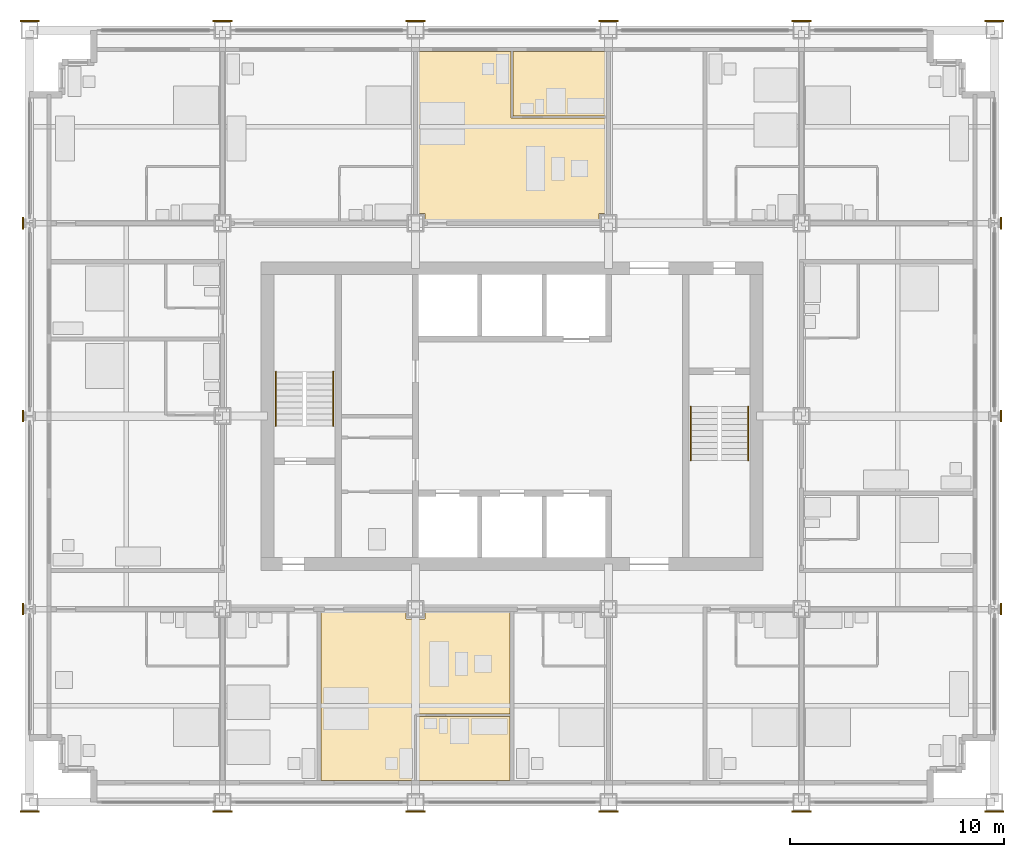
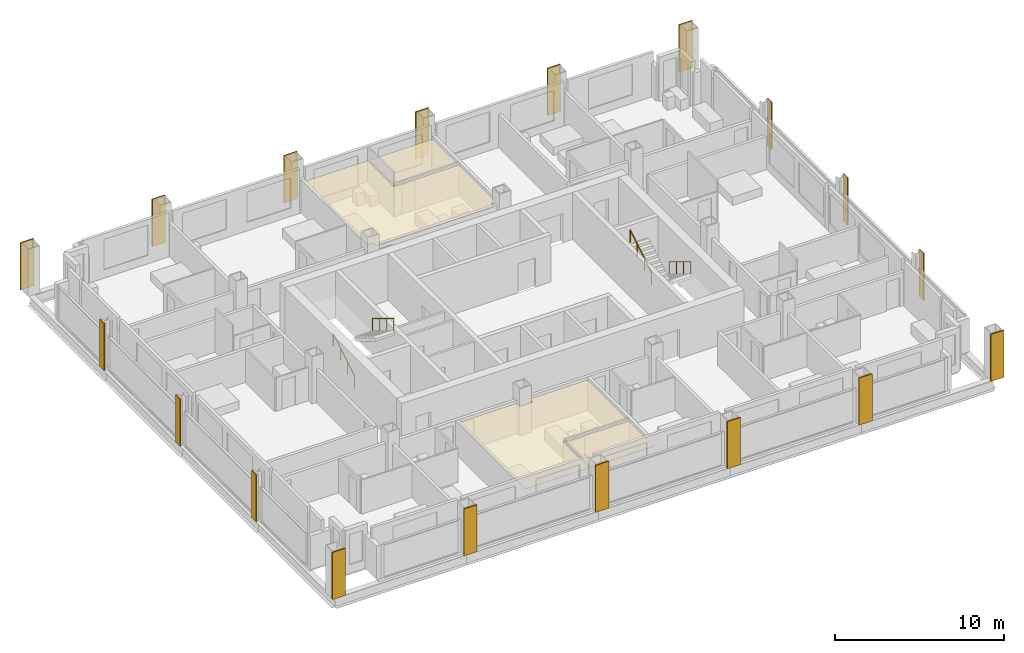
# One storey, part 14 of 16: 22 coverings, 4 railings.
"""IFC4 building model written with IfcOpenShell, lengths in metres."""

from ifc_helpers import new_model, si_unit, direction, frame, origin, origin_2d, place, context, subcontext, project, spatial, polyline, rectangle, circle, outline, extrude, material, layer, layer_set, type_object, element, save


model = new_model("IFC4")

# Units and contexts
model_context = context("Model", 3, precision=1e-05, world=origin(), true_north=direction((0.0, 1.0)))
body_context = subcontext(model_context, "Body", "Model", "MODEL_VIEW")
ifc_project = project(units=[si_unit("LENGTHUNIT", "METRE"), si_unit("AREAUNIT", "SQUARE_METRE"), si_unit("VOLUMEUNIT", "CUBIC_METRE"), si_unit("PLANEANGLEUNIT", "RADIAN"), si_unit("MASSUNIT", "GRAM", prefix="KILO")], contexts=[model_context])

# Site, building, storey
site_placement = place(None, origin())
site = spatial("IfcSite", under=ifc_project, at=site_placement, CompositionType="ELEMENT")
building_placement = place(site_placement, origin())
building = spatial("IfcBuilding", under=site, at=building_placement, Name="Loomwork Tower", CompositionType="ELEMENT")
storey_placement = place(building_placement, frame((0.0, 0.0, 124.800048828125)))
storey = spatial("IfcBuildingStorey", under=building, at=storey_placement, Name="L33", CompositionType="ELEMENT", Elevation=124.800048828125)

# Railings
ifc_material_1 = material(Name="Stainless steel handrail", Category="steel")
railing_type = type_object("IfcRailingType", Name="Handrail 900", PredefinedType="HANDRAIL", material=ifc_material_1)
railing_1_placement = place(storey_placement, frame((11.485107421875, 17.550048828125, 0.169921875)))
element("IfcRailing", 1, at=railing_1_placement, inside=storey, type_object=railing_type, Name="Stair A handrail flight 1 L33", PredefinedType="HANDRAIL", context=body_context, shape_type="SweptSolid", body=[
    extrude(circle(Radius=0.02392578125, at=origin_2d()), frame((0.0, 0.0, 0.8759765625), z_axis=(0.0, 0.85478489116, 0.518982456201), x_axis=(-1.0, 0.0, 0.0)), (0.0, 0.0, 1.0), 2.9482421875),
    extrude(circle(Radius=0.02099609375, at=origin_2d()), origin(), (0.0, 0.0, 1.0), 0.851806640625),
    extrude(circle(Radius=0.02099609375, at=origin_2d()), frame((0.0, 0.840087890625, 0.510009765625)), (0.0, 0.0, 1.0), 0.851806640625),
    extrude(circle(Radius=0.02099609375, at=origin_2d()), frame((0.0, 1.679931640625, 1.02001953125)), (0.0, 0.0, 1.0), 0.851806640625),
    extrude(circle(Radius=0.02099609375, at=origin_2d()), frame((0.0, 2.52001953125, 1.530029296875)), (0.0, 0.0, 1.0), 0.851806640625),
])
for number, where, name in (
    (2, (14.1650390625, 20.070068359375, 1.869873046875), "Stair A handrail flight 2 L33"),
    (3, (33.514892578125, 18.449951171875, 0.169921875), "Stair B handrail flight 1 L33"),
):
    element("IfcRailing", number, at=place(storey_placement, frame(where)), inside=storey, type_object=railing_type, Name=name, PredefinedType="HANDRAIL", context=body_context, shape_type="SweptSolid", body=[
        extrude(circle(Radius=0.02392578125, at=origin_2d()), frame((0.0, 0.0, 0.8759765625), z_axis=(0.0, -0.85478489116, 0.518982456201), x_axis=(1.0, 0.0, 0.0)), (0.0, 0.0, 1.0), 2.9482421875),
        extrude(circle(Radius=0.02099609375, at=origin_2d()), origin(), (0.0, 0.0, 1.0), 0.851806640625),
        extrude(circle(Radius=0.02099609375, at=origin_2d()), frame((0.0, -0.840087890625, 0.510009765625)), (0.0, 0.0, 1.0), 0.851806640625),
        extrude(circle(Radius=0.02099609375, at=origin_2d()), frame((0.0, -1.679931640625, 1.02001953125)), (0.0, 0.0, 1.0), 0.851806640625),
        extrude(circle(Radius=0.02099609375, at=origin_2d()), frame((0.0, -2.52001953125, 1.530029296875)), (0.0, 0.0, 1.0), 0.851806640625),
    ])
railing_2_placement = place(storey_placement, frame((30.8349609375, 15.929931640625, 1.869873046875)))
element("IfcRailing", 4, at=railing_2_placement, inside=storey, type_object=railing_type, Name="Stair B handrail flight 2 L33", PredefinedType="HANDRAIL", context=body_context, shape_type="SweptSolid", body=[
    extrude(circle(Radius=0.02392578125, at=origin_2d()), frame((0.0, 0.0, 0.8759765625), z_axis=(0.0, 0.85478489116, 0.518982456201), x_axis=(-1.0, 0.0, 0.0)), (0.0, 0.0, 1.0), 2.9482421875),
    extrude(circle(Radius=0.02099609375, at=origin_2d()), origin(), (0.0, 0.0, 1.0), 0.851806640625),
    extrude(circle(Radius=0.02099609375, at=origin_2d()), frame((0.0, 0.840087890625, 0.510009765625)), (0.0, 0.0, 1.0), 0.851806640625),
    extrude(circle(Radius=0.02099609375, at=origin_2d()), frame((0.0, 1.679931640625, 1.02001953125)), (0.0, 0.0, 1.0), 0.851806640625),
    extrude(circle(Radius=0.02099609375, at=origin_2d()), frame((0.0, 2.52001953125, 1.530029296875)), (0.0, 0.0, 1.0), 0.851806640625),
])

# Coverings
ifc_material_2 = material(Name="Limestone", Category="masonry")
ifc_layer_1 = layer(ifc_material_2, 0.080078125)
ifc_layer_set_1 = layer_set([ifc_layer_1], Name="Limestone pier facing 80")
covering_type_1 = type_object("IfcCoveringType", Name="Limestone pier facing 80", PredefinedType="CLADDING", material=ifc_layer_set_1)
covering_1_placement = place(storey_placement, frame((0.0, -0.43994140625, 0.0), z_axis=(0.0, 0.0, 1.0), x_axis=(1.0, 0.0, 0.0)))
element("IfcCovering", 5, at=covering_1_placement, inside=storey, type_object=covering_type_1, Name="Pier facing D/2 L33", PredefinedType="CLADDING", context=body_context, shape_type="SweptSolid", body=[
    extrude(rectangle(XDim=0.89990234375, YDim=0.080078125, at=origin_2d()), origin(), (0.0, 0.0, 1.0), 3.39990234375),
])
for number, where, z_axis, x_axis, name in (
    (6, (-0.305419921875, 9.0, 0.0), (0.0, 0.0, 1.0), (1.0, 0.0, 0.0), "Pier facing E/2 L33"),
    (7, (-0.305419921875, 18.0, 0.0), (0.0, 0.0, 1.0), (1.0, 0.0, 0.0), "Pier facing F/2 L33"),
    (8, (-0.305419921875, 27.0, 0.0), (0.0, 0.0, 1.0), (1.0, 0.0, 0.0), "Pier facing G/2 L33"),
):
    element("IfcCovering", number, at=place(storey_placement, frame(where, z_axis=z_axis, x_axis=x_axis)), inside=storey, type_object=covering_type_1, Name=name, PredefinedType="CLADDING", context=body_context, shape_type="SweptSolid", body=[
        extrude(rectangle(XDim=0.080078125, YDim=0.5419921875, at=origin_2d()), origin(), (0.0, 0.0, 1.0), 3.39990234375),
    ])
for number, where, z_axis, x_axis, name in (
    (9, (0.0, 36.43994140625, 0.0), (0.0, 0.0, 1.0), (1.0, 0.0, 0.0), "Pier facing H/2 L33"),
    (10, (9.0, -0.43994140625, 0.0), (0.0, 0.0, 1.0), (1.0, 0.0, 0.0), "Pier facing D/3 L33"),
    (11, (9.0, 36.43994140625, 0.0), (0.0, 0.0, 1.0), (1.0, 0.0, 0.0), "Pier facing H/3 L33"),
    (12, (18.0, -0.43994140625, 0.0), (0.0, 0.0, 1.0), (1.0, 0.0, 0.0), "Pier facing D/4 L33"),
    (13, (18.0, 36.43994140625, 0.0), (0.0, 0.0, 1.0), (1.0, 0.0, 0.0), "Pier facing H/4 L33"),
    (14, (27.0, -0.43994140625, 0.0), (0.0, 0.0, 1.0), (1.0, 0.0, 0.0), "Pier facing D/5 L33"),
    (15, (27.0, 36.43994140625, 0.0), (0.0, 0.0, 1.0), (1.0, 0.0, 0.0), "Pier facing H/5 L33"),
    (16, (36.0, -0.43994140625, 0.0), (0.0, 0.0, 1.0), (1.0, 0.0, 0.0), "Pier facing D/6 L33"),
    (17, (36.0, 36.43994140625, 0.0), (0.0, 0.0, 1.0), (1.0, 0.0, 0.0), "Pier facing H/6 L33"),
    (18, (45.0, -0.43994140625, 0.0), (0.0, 0.0, 1.0), (1.0, 0.0, 0.0), "Pier facing D/7 L33"),
):
    element("IfcCovering", number, at=place(storey_placement, frame(where, z_axis=z_axis, x_axis=x_axis)), inside=storey, type_object=covering_type_1, Name=name, PredefinedType="CLADDING", context=body_context, shape_type="SweptSolid", body=[
        extrude(rectangle(XDim=0.89990234375, YDim=0.080078125, at=origin_2d()), origin(), (0.0, 0.0, 1.0), 3.39990234375),
    ])
for number, where, z_axis, x_axis, name in (
    (19, (45.305419921875, 9.0, 0.0), (0.0, 0.0, 1.0), (1.0, 0.0, 0.0), "Pier facing E/7 L33"),
    (20, (45.305419921875, 18.0, 0.0), (0.0, 0.0, 1.0), (1.0, 0.0, 0.0), "Pier facing F/7 L33"),
    (21, (45.305419921875, 27.0, 0.0), (0.0, 0.0, 1.0), (1.0, 0.0, 0.0), "Pier facing G/7 L33"),
):
    element("IfcCovering", number, at=place(storey_placement, frame(where, z_axis=z_axis, x_axis=x_axis)), inside=storey, type_object=covering_type_1, Name=name, PredefinedType="CLADDING", context=body_context, shape_type="SweptSolid", body=[
        extrude(rectangle(XDim=0.080078125, YDim=0.5419921875, at=origin_2d()), origin(), (0.0, 0.0, 1.0), 3.39990234375),
    ])
covering_2_placement = place(storey_placement, frame((45.0, 36.43994140625, 0.0), z_axis=(0.0, 0.0, 1.0), x_axis=(1.0, 0.0, 0.0)))
element("IfcCovering", 22, at=covering_2_placement, inside=storey, type_object=covering_type_1, Name="Pier facing H/7 L33", PredefinedType="CLADDING", context=body_context, shape_type="SweptSolid", body=[
    extrude(rectangle(XDim=0.89990234375, YDim=0.080078125, at=origin_2d()), origin(), (0.0, 0.0, 1.0), 3.39990234375),
])
ifc_material_3 = material(Name="Mineral fibre acoustic tile on suspension grid")
ifc_layer_2 = layer(ifc_material_3, 0.02490234375)
ifc_layer_set_2 = layer_set([ifc_layer_2], Name="Suspended acoustic ceiling")
covering_type_2 = type_object("IfcCoveringType", Name="Suspended acoustic ceiling", PredefinedType="CEILING", material=ifc_layer_set_2)
covering_3_placement = place(storey_placement, frame((0.0, 0.0, 2.175048828125)))
element("IfcCovering", 23, at=covering_3_placement, inside=storey, type_object=covering_type_2, Name="Ceiling Spa bathroom L33", PredefinedType="CEILING", context=body_context, shape_type="SweptSolid", body=[
    extrude(outline(polyline([(22.39990234375, 4.0), (22.39990234375, 1.0), (18.050048828125, 1.0), (18.050048828125, 4.0), (22.39990234375, 4.0)])), origin(), (0.0, 0.0, 1.0), 0.02490234375),
])
covering_4_placement = place(storey_placement, frame((0.0, 0.0, 2.175048828125)))
element("IfcCovering", 24, at=covering_4_placement, inside=storey, type_object=covering_type_2, Name="Ceiling Spa suite L33", PredefinedType="CEILING", context=body_context, shape_type="SweptSolid", body=[
    extrude(outline(polyline([(17.550048828125, 8.89990234375), (17.550048828125, 8.550048828125), (18.449951171875, 8.550048828125), (18.449951171875, 8.89990234375), (22.39990234375, 8.89990234375), (22.39990234375, 4.10009765625), (17.949951171875, 4.10009765625), (17.949951171875, 1.0), (13.60009765625, 1.0), (13.60009765625, 8.89990234375), (17.550048828125, 8.89990234375)])), origin(), (0.0, 0.0, 1.0), 0.02490234375),
])
covering_5_placement = place(storey_placement, frame((0.0, 0.0, 2.175048828125)))
element("IfcCovering", 25, at=covering_5_placement, inside=storey, type_object=covering_type_2, Name="Ceiling Spa bathroom L33", PredefinedType="CEILING", context=body_context, shape_type="SweptSolid", body=[
    extrude(outline(polyline([(22.550048828125, 35.0), (26.89990234375, 35.0), (26.89990234375, 32.0), (22.550048828125, 32.0), (22.550048828125, 35.0)])), origin(), (0.0, 0.0, 1.0), 0.02490234375),
])
covering_6_placement = place(storey_placement, frame((0.0, 0.0, 2.175048828125)))
element("IfcCovering", 26, at=covering_6_placement, inside=storey, type_object=covering_type_2, Name="Ceiling Spa suite L33", PredefinedType="CEILING", context=body_context, shape_type="SweptSolid", body=[
    extrude(outline(polyline([(18.10009765625, 35.0), (22.449951171875, 35.0), (22.449951171875, 31.89990234375), (26.89990234375, 31.89990234375), (26.89990234375, 27.449951171875), (26.550048828125, 27.449951171875), (26.550048828125, 27.10009765625), (18.449951171875, 27.10009765625), (18.449951171875, 27.449951171875), (18.10009765625, 27.449951171875), (18.10009765625, 35.0)])), origin(), (0.0, 0.0, 1.0), 0.02490234375),
])

save(model, "model.ifc")
